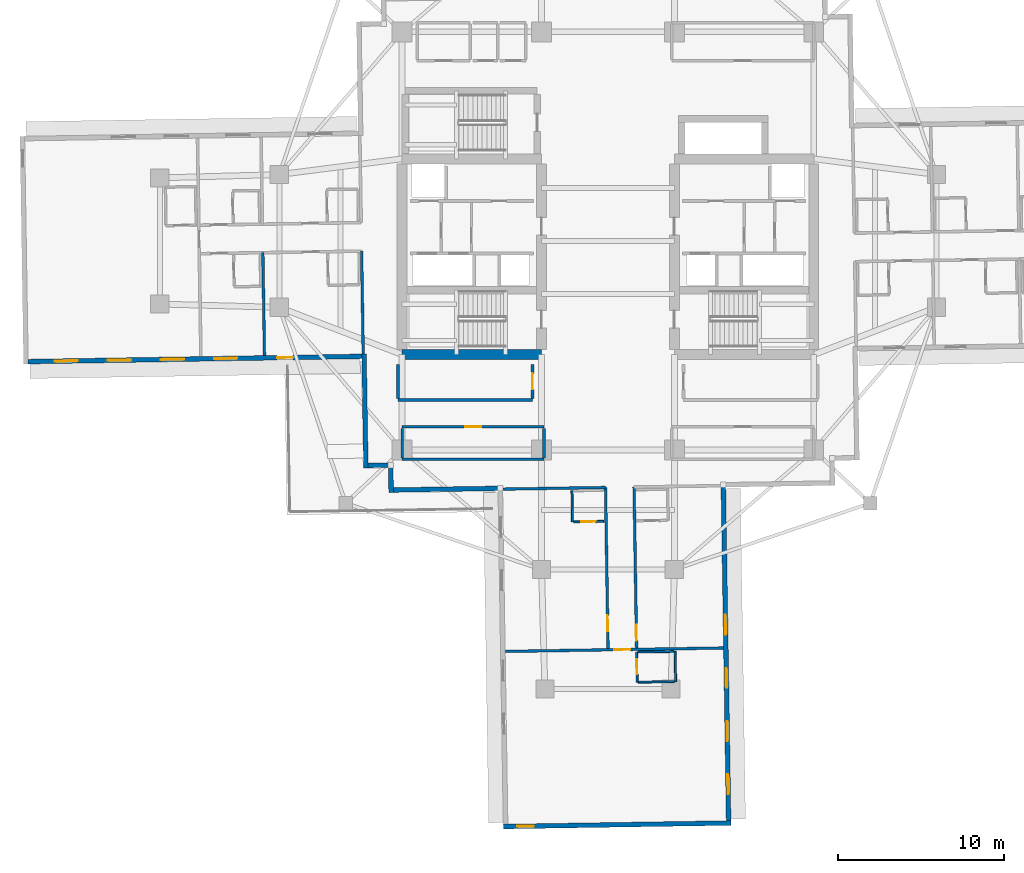
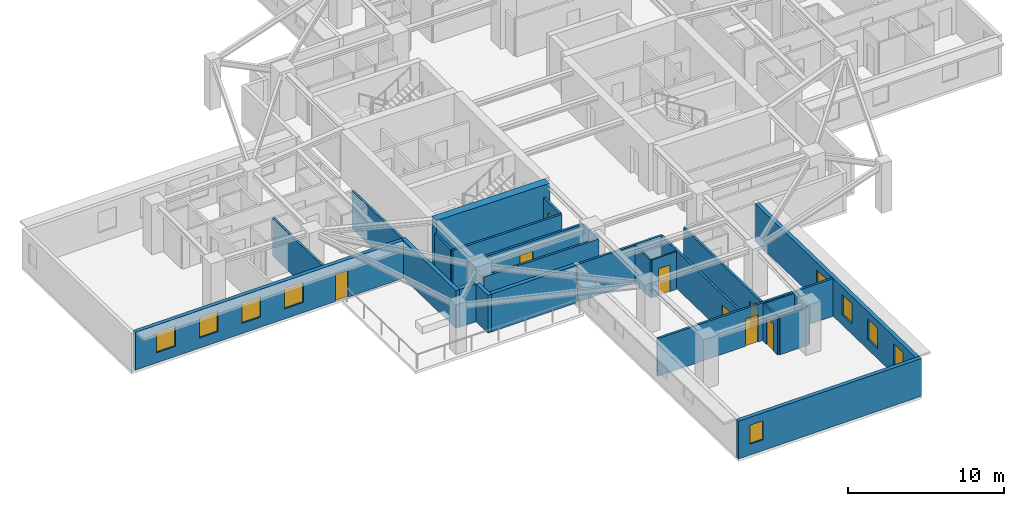
# One storey, part 3 of 14: 27 walls, 9 windows, 8 doors, 17 openings.
"""IFC4 building model written with IfcOpenShell, lengths in metres."""

from ifc_helpers import new_model, si_unit, direction, frame, frame_2d, origin, place, context, subcontext, project, spatial, rectangle, extrude, material, layer, layer_set, type_object, element, fill, save


model = new_model("IFC4")

# Units and contexts
model_context = context("Model", 3, precision=1e-05, world=origin(), true_north=direction((0.0, 1.0)))
body_context = subcontext(model_context, "Body", "Model", "MODEL_VIEW")
ifc_project = project(units=[si_unit("LENGTHUNIT", "METRE"), si_unit("AREAUNIT", "SQUARE_METRE"), si_unit("VOLUMEUNIT", "CUBIC_METRE"), si_unit("PLANEANGLEUNIT", "RADIAN"), si_unit("MASSUNIT", "GRAM", prefix="KILO")], contexts=[model_context])

# Site, building, storey
site_placement = place(None, origin())
site = spatial("IfcSite", under=ifc_project, at=site_placement, CompositionType="ELEMENT")
building_placement = place(site_placement, origin())
building = spatial("IfcBuilding", under=site, at=building_placement, Name="Qingluan Cross Belvedere", CompositionType="ELEMENT")
storey_placement = place(building_placement, frame((0.0, 0.0, 108.60009765625)))
storey = spatial("IfcBuildingStorey", under=building, at=storey_placement, Name="L27", CompositionType="ELEMENT", Elevation=108.60009765625)

# Walls
ifc_material_1 = material(Name="Concrete C60", Category="concrete")
ifc_layer_1 = layer(ifc_material_1, 0.60009765625, Name="CoreShearWall_600")
ifc_layer_set_1 = layer_set([ifc_layer_1], Name="Concrete C60")
wall_type_1 = type_object("IfcWallType", Name="CoreShearWall_600", PredefinedType="SHEAR", material=ifc_layer_set_1)
wall_1_placement = place(storey_placement, frame((-12.39990234375, -6.85009765625, 0.0), z_axis=(0.0, 0.0, 1.0), x_axis=(1.0, 0.0, 0.0)))
element("IfcWall", 1, at=wall_1_placement, inside=storey, type_object=wall_type_1, Name="Split core W shear wall L27-S", PredefinedType="SHEAR", context=body_context, shape_type="SweptSolid", body=[
    extrude(rectangle(XDim=8.39990234375, YDim=0.60009765625, at=frame_2d((4.199951171875, 0.0))), origin(), (0.0, 0.0, 1.0), 3.699951171875),
])
ifc_material_2 = material(Name="Gypsum plasterboard on steel stud acoustic partition", Category="steel")
ifc_layer_2 = layer(ifc_material_2, 0.159912109375, Name="CorridorPartition_160")
ifc_layer_set_2 = layer_set([ifc_layer_2], Name="Gypsum plasterboard on steel stud acoustic partition")
wall_type_2 = type_object("IfcWallType", Name="CorridorPartition_160", PredefinedType="PARTITIONING", material=ifc_layer_set_2)
wall_2_placement = place(storey_placement, frame((-12.39990234375, -13.14990234375, 0.0), z_axis=(0.0, 0.0, 1.0), x_axis=(1.0, 0.0, 0.0)))
element("IfcWall", 2, at=wall_2_placement, inside=storey, type_object=wall_type_2, Name="Partition L27:q_sw:S", PredefinedType="PARTITIONING", context=body_context, shape_type="SweptSolid", body=[
    extrude(rectangle(XDim=8.5498046875, YDim=0.159912109375, at=frame_2d((4.27490234375, 0.0))), origin(), (0.0, 0.0, 1.0), 2.9599609375),
])

# Wall, opening, door
wall_3_placement = place(storey_placement, frame((-12.39990234375, -11.199951171875, 0.0), z_axis=(0.0, 0.0, 1.0), x_axis=(1.0, 0.0, 0.0)))
wall_3 = element("IfcWall", 3, at=wall_3_placement, inside=storey, type_object=wall_type_2, Name="Partition L27:q_sw:N", PredefinedType="PARTITIONING", context=body_context, shape_type="SweptSolid", body=[
    extrude(rectangle(XDim=8.5498046875, YDim=0.159912109375, at=frame_2d((4.27490234375, 0.0))), origin(), (0.0, 0.0, 1.0), 2.9599609375),
])
opening_1_placement = place(wall_3_placement, frame((3.794921875, 0.0, 0.0)))
opening_1 = element("IfcOpeningElement", 4, at=opening_1_placement, cuts=wall_3, Name="Opening GD-10", PredefinedType="OPENING", context=body_context, shape_type="SweptSolid", body=[
    extrude(rectangle(XDim=0.9599609375, YDim=2.14990234375, at=frame_2d((0.47998046875, 1.074951171875))), frame((0.0, 0.08984375, 0.0), z_axis=(0.0, -1.0, 0.0), x_axis=(1.0, 0.0, 0.0)), (0.0, 0.0, 1.0), 0.179931640625),
])
ifc_material_3 = material(Name="Timber oak fire-rated acoustic guestroom door", Category="wood")
door_type_1 = type_object("IfcDoorType", Name="GuestEntryDoor_FD60", OperationType="NOTDEFINED", PredefinedType="DOOR", material=ifc_material_3)
door_1_placement = place(opening_1_placement, origin())
door_1 = element("IfcDoor", 5, at=door_1_placement, inside=storey, type_object=door_type_1, Name="Strategy meeting room L27 door", OperationType="SINGLE_SWING_RIGHT", OverallHeight=2.14990234375, OverallWidth=0.9599609375, PredefinedType="DOOR", context=body_context, shape_type="SweptSolid", body=[
    extrude(rectangle(XDim=0.9599609375, YDim=2.14990234375, at=frame_2d((0.47998046875, 1.074951171875))), frame((0.0, 0.02490234375, 0.0), z_axis=(0.0, -1.0, 0.0), x_axis=(1.0, 0.0, 0.0)), (0.0, 0.0, 1.0), 0.050048828125),
])
fill(opening_1, door_1)

# Walls
for number, where, z_axis, x_axis, name in (
    (6, (-12.39990234375, -13.06494140625, 0.0), (0.0, 0.0, 1.0), (0.0, 1.0, 0.0), "Partition L27:q_sw:W"),
    (7, (-3.85009765625, -13.06494140625, 0.0), (0.0, 0.0, 1.0), (0.0, 1.0, 0.0), "Partition L27:q_sw:E"),
):
    element("IfcWall", number, at=place(storey_placement, frame(where, z_axis=z_axis, x_axis=x_axis)), inside=storey, type_object=wall_type_2, Name=name, PredefinedType="PARTITIONING", context=body_context, shape_type="SweptSolid", body=[
        extrude(rectangle(XDim=1.780029296875, YDim=0.159912109375, at=frame_2d((0.89013671875, 0.0))), origin(), (0.0, 0.0, 1.0), 2.9599609375),
    ])
wall_4_placement = place(storey_placement, frame((-12.64990234375, -9.580078125, 0.0), z_axis=(0.0, 0.0, 1.0), x_axis=(1.0, 0.0, 0.0)))
element("IfcWall", 8, at=wall_4_placement, inside=storey, type_object=wall_type_2, Name="Partition L27:rec_st4_w:S", PredefinedType="PARTITIONING", context=body_context, shape_type="SweptSolid", body=[
    extrude(rectangle(XDim=8.099853515625, YDim=0.159912109375, at=frame_2d((4.0498046875, 0.0))), origin(), (0.0, 0.0, 1.0), 2.9599609375),
])
wall_5_placement = place(storey_placement, frame((-12.64990234375, -9.4951171875, 0.0), z_axis=(0.0, 0.0, 1.0), x_axis=(0.0, 1.0, 0.0)))
element("IfcWall", 9, at=wall_5_placement, inside=storey, type_object=wall_type_2, Name="Partition L27:rec_st4_w:W", PredefinedType="PARTITIONING", context=body_context, shape_type="SweptSolid", body=[
    extrude(rectangle(XDim=2.06005859375, YDim=0.159912109375, at=frame_2d((1.030029296875, 0.0))), origin(), (0.0, 0.0, 1.0), 2.9599609375),
])

# Wall, opening, door
wall_6_placement = place(storey_placement, frame((-4.550048828125, -9.4951171875, 0.0), z_axis=(0.0, 0.0, 1.0), x_axis=(0.0, 1.0, 0.0)))
wall_6 = element("IfcWall", 10, at=wall_6_placement, inside=storey, type_object=wall_type_2, Name="Partition L27:rec_st4_w:E", PredefinedType="PARTITIONING", context=body_context, shape_type="SweptSolid", body=[
    extrude(rectangle(XDim=2.06005859375, YDim=0.159912109375, at=frame_2d((1.030029296875, 0.0))), origin(), (0.0, 0.0, 1.0), 2.9599609375),
])
opening_2_placement = place(wall_6_placement, frame((0.550048828125, 0.0, 0.0)))
opening_2 = element("IfcOpeningElement", 11, at=opening_2_placement, cuts=wall_6, Name="Opening GD-10", PredefinedType="OPENING", context=body_context, shape_type="SweptSolid", body=[
    extrude(rectangle(XDim=0.9599609375, YDim=2.14990234375, at=frame_2d((0.47998046875, 1.074951171875))), frame((0.0, 0.08984375, 0.0), z_axis=(0.0, -1.0, 0.0), x_axis=(1.0, 0.0, 0.0)), (0.0, 0.0, 1.0), 0.179931640625),
])
door_2_placement = place(opening_2_placement, origin())
door_2 = element("IfcDoor", 12, at=door_2_placement, inside=storey, type_object=door_type_1, Name="Southwest club reading room L27 door", OperationType="SINGLE_SWING_LEFT", OverallHeight=2.14990234375, OverallWidth=0.9599609375, PredefinedType="DOOR", context=body_context, shape_type="SweptSolid", body=[
    extrude(rectangle(XDim=0.9599609375, YDim=2.14990234375, at=frame_2d((0.47998046875, 1.074951171875))), frame((0.0, 0.02490234375, 0.0), z_axis=(0.0, -1.0, 0.0), x_axis=(1.0, 0.0, 0.0)), (0.0, 0.0, 1.0), 0.050048828125),
])
fill(opening_2, door_2)

# Walls
for number, where, z_axis, x_axis, name in (
    (13, (-14.84228515625, -0.61328125, 0.0), (0.0, 0.0, 1.0), (0.015732111709, -0.999876242673, 0.0), "Partition L27:W:s1"),
    (14, (-20.79150390625, -0.706787109375, 0.0), (0.0, 0.0, 1.0), (0.015732111709, -0.999876242673, 0.0), "Partition L27:W:d1_0"),
):
    element("IfcWall", number, at=place(storey_placement, frame(where, z_axis=z_axis, x_axis=x_axis)), inside=storey, type_object=wall_type_2, Name=name, PredefinedType="PARTITIONING", context=body_context, shape_type="SweptSolid", body=[
        extrude(rectangle(XDim=6.19189453125, YDim=0.159912109375, at=frame_2d((3.095947265625, 0.0))), origin(), (0.0, 0.0, 1.0), 2.9599609375),
    ])

# Wall, opening, door
wall_7_placement = place(storey_placement, frame((1.572998046875, -14.8271484375, 0.0), z_axis=(0.0, 0.0, 1.0), x_axis=(0.015705659641, -0.999876658521, 0.0)))
wall_7 = element("IfcWall", 15, at=wall_7_placement, inside=storey, type_object=wall_type_2, Name="Partition L27:S:c0", PredefinedType="PARTITIONING", context=body_context, shape_type="SweptSolid", body=[
    extrude(rectangle(XDim=9.699951171875, YDim=0.159912109375, at=frame_2d((4.85009765625, 0.0))), origin(), (0.0, 0.0, 1.0), 2.9599609375),
])
opening_3_placement = place(wall_7_placement, frame((8.300048828125, 0.0, 0.0)))
opening_3 = element("IfcOpeningElement", 16, at=opening_3_placement, cuts=wall_7, Name="Opening GD-10", PredefinedType="OPENING", context=body_context, shape_type="SweptSolid", body=[
    extrude(rectangle(XDim=0.9599609375, YDim=2.14990234375, at=frame_2d((0.47998046875, 1.074951171875))), frame((0.0, 0.08984375, 0.0), z_axis=(0.0, -1.0, 0.0), x_axis=(1.0, 0.0, 0.0)), (0.0, 0.0, 1.0), 0.179931640625),
])
door_3_placement = place(opening_3_placement, origin())
door_3 = element("IfcDoor", 17, at=door_3_placement, inside=storey, type_object=door_type_1, Name="Guest entry fire door 2715", OperationType="SINGLE_SWING_RIGHT", OverallHeight=2.14990234375, OverallWidth=0.9599609375, PredefinedType="DOOR", context=body_context, shape_type="SweptSolid", body=[
    extrude(rectangle(XDim=0.9599609375, YDim=2.14990234375, at=frame_2d((0.47998046875, 1.074951171875))), frame((0.0, 0.02490234375, 0.0), z_axis=(0.0, -1.0, 0.0), x_axis=(1.0, 0.0, 0.0)), (0.0, 0.0, 1.0), 0.050048828125),
])
fill(opening_3, door_3)

wall_8_placement = place(storey_placement, frame((-0.146728515625, -14.85400390625, 0.0), z_axis=(0.0, 0.0, 1.0), x_axis=(0.015705264399, -0.999876664729, 0.0)))
wall_8 = element("IfcWall", 18, at=wall_8_placement, inside=storey, type_object=wall_type_2, Name="Partition L27:S:c1", PredefinedType="PARTITIONING", context=body_context, shape_type="SweptSolid", body=[
    extrude(rectangle(XDim=9.7001953125, YDim=0.159912109375, at=frame_2d((4.85009765625, 0.0))), origin(), (0.0, 0.0, 1.0), 2.9599609375),
])
opening_4_placement = place(wall_8_placement, frame((7.7041015625, 0.0, 0.0)))
opening_4 = element("IfcOpeningElement", 19, at=opening_4_placement, cuts=wall_8, Name="Opening GD-10", PredefinedType="OPENING", context=body_context, shape_type="SweptSolid", body=[
    extrude(rectangle(XDim=0.9599609375, YDim=2.14990234375, at=frame_2d((0.47998046875, 1.074951171875))), frame((0.0, 0.08984375, 0.0), z_axis=(0.0, -1.0, 0.0), x_axis=(1.0, 0.0, 0.0)), (0.0, 0.0, 1.0), 0.179931640625),
])
door_4_placement = place(opening_4_placement, origin())
door_4 = element("IfcDoor", 20, at=door_4_placement, inside=storey, type_object=door_type_1, Name="Guest entry fire door 2716", OperationType="SINGLE_SWING_RIGHT", OverallHeight=2.14990234375, OverallWidth=0.9599609375, PredefinedType="DOOR", context=body_context, shape_type="SweptSolid", body=[
    extrude(rectangle(XDim=0.9599609375, YDim=2.14990234375, at=frame_2d((0.47998046875, 1.074951171875))), frame((0.0, 0.02490234375, 0.0), z_axis=(0.0, -1.0, 0.0), x_axis=(1.0, 0.0, 0.0)), (0.0, 0.0, 1.0), 0.050048828125),
])
fill(opening_4, door_4)

# Wall
wall_9_placement = place(storey_placement, frame((-0.146728515625, -14.85400390625, 0.0), z_axis=(0.0, 0.0, 1.0), x_axis=(-0.999876566438, -0.015711520859, 0.0)))
element("IfcWall", 21, at=wall_9_placement, inside=storey, type_object=wall_type_2, Name="Partition L27:S:s1", PredefinedType="PARTITIONING", context=body_context, shape_type="SweptSolid", body=[
    extrude(rectangle(XDim=6.33984375, YDim=0.159912109375, at=frame_2d((3.169921875, 0.0))), origin(), (0.0, 0.0, 1.0), 2.9599609375),
])

# Wall, opening, door
wall_10_placement = place(storey_placement, frame((-6.184326171875, -24.730224609375, 0.0), z_axis=(0.0, 0.0, 1.0), x_axis=(0.999876528878, 0.015713911007, 0.0)))
wall_10 = element("IfcWall", 22, at=wall_10_placement, inside=storey, type_object=wall_type_2, Name="Partition L27:Scap:in", PredefinedType="PARTITIONING", context=body_context, shape_type="SweptSolid", body=[
    extrude(rectangle(XDim=13.14404296875, YDim=0.159912109375, at=frame_2d((6.572021484375, 0.0))), origin(), (0.0, 0.0, 1.0), 2.9599609375),
])
opening_5_placement = place(wall_10_placement, frame((6.572021484375, 0.0, 0.0)))
opening_5 = element("IfcOpeningElement", 23, at=opening_5_placement, cuts=wall_10, Name="Opening GD-10", PredefinedType="OPENING", context=body_context, shape_type="SweptSolid", body=[
    extrude(rectangle(XDim=0.9599609375, YDim=2.14990234375, at=frame_2d((0.47998046875, 1.074951171875))), frame((0.0, 0.08984375, 0.0), z_axis=(0.0, -1.0, 0.0), x_axis=(1.0, 0.0, 0.0)), (0.0, 0.0, 1.0), 0.179931640625),
])
door_5_placement = place(opening_5_placement, origin())
door_5 = element("IfcDoor", 24, at=door_5_placement, inside=storey, type_object=door_type_1, Name="Presidential suite entrance door L27S", OperationType="SINGLE_SWING_LEFT", OverallHeight=2.14990234375, OverallWidth=0.9599609375, PredefinedType="DOOR", context=body_context, shape_type="SweptSolid", body=[
    extrude(rectangle(XDim=0.9599609375, YDim=2.14990234375, at=frame_2d((0.47998046875, 1.074951171875))), frame((0.0, 0.02490234375, 0.0), z_axis=(0.0, -1.0, 0.0), x_axis=(1.0, 0.0, 0.0)), (0.0, 0.0, 1.0), 0.050048828125),
])
fill(opening_5, door_5)

ifc_material_4 = material(Name="Moisture-resistant gypsum board lining")
ifc_layer_3 = layer(ifc_material_4, 0.1201171875, Name="EnsuiteWetPartition_120")
ifc_layer_set_3 = layer_set([ifc_layer_3], Name="Moisture-resistant gypsum board lining")
wall_type_3 = type_object("IfcWallType", Name="EnsuiteWetPartition_120", PredefinedType="PARTITIONING", material=ifc_layer_set_3)
wall_11_placement = place(storey_placement, frame((-2.074462890625, -16.9248046875, 0.0), z_axis=(0.0, 0.0, 1.0), x_axis=(0.999874722342, 0.015828443418, 0.0)))
wall_11 = element("IfcWall", 25, at=wall_11_placement, inside=storey, type_object=wall_type_3, Name="Partition L27:S:bs1_0", PredefinedType="PARTITIONING", context=body_context, shape_type="SweptSolid", body=[
    extrude(rectangle(XDim=1.820068359375, YDim=0.1201171875, at=frame_2d((0.91015625, 0.0))), origin(), (0.0, 0.0, 1.0), 2.9599609375),
])
opening_6_placement = place(wall_11_placement, frame((0.469970703125, 0.0, 0.0)))
opening_6 = element("IfcOpeningElement", 26, at=opening_6_placement, cuts=wall_11, Name="Opening BD-09", PredefinedType="OPENING", context=body_context, shape_type="SweptSolid", body=[
    extrude(rectangle(XDim=0.8798828125, YDim=2.10009765625, at=frame_2d((0.43994140625, 1.050048828125))), frame((0.0, 0.070068359375, 0.0), z_axis=(0.0, -1.0, 0.0), x_axis=(1.0, 0.0, 0.0)), (0.0, 0.0, 1.0), 0.14013671875),
])
ifc_material_5 = material(Name="Moisture-sealed timber en-suite door", Category="wood")
door_type_2 = type_object("IfcDoorType", Name="BathroomDoor_880", OperationType="NOTDEFINED", PredefinedType="DOOR", material=ifc_material_5)
door_6_placement = place(opening_6_placement, origin())
door_6 = element("IfcDoor", 27, at=door_6_placement, inside=storey, type_object=door_type_2, Name="Bathroom door 2716", OperationType="SINGLE_SWING_LEFT", OverallHeight=2.10009765625, OverallWidth=0.8798828125, PredefinedType="DOOR", context=body_context, shape_type="SweptSolid", body=[
    extrude(rectangle(XDim=0.8798828125, YDim=2.10009765625, at=frame_2d((0.43994140625, 1.050048828125))), frame((0.0, 0.02490234375, 0.0), z_axis=(0.0, -1.0, 0.0), x_axis=(1.0, 0.0, 0.0)), (0.0, 0.0, 1.0), 0.050048828125),
])
fill(opening_6, door_6)

# Wall
wall_12_placement = place(storey_placement, frame((-2.1689453125, -15.0458984375, 0.0), z_axis=(0.0, 0.0, 1.0), x_axis=(0.01571234584, -0.999876553475, 0.0)))
element("IfcWall", 28, at=wall_12_placement, inside=storey, type_object=wall_type_3, Name="Partition L27:S:bc1_0", PredefinedType="PARTITIONING", context=body_context, shape_type="SweptSolid", body=[
    extrude(rectangle(XDim=1.880126953125, YDim=0.1201171875, at=frame_2d((0.93994140625, 0.0))), origin(), (0.0, 0.0, 1.0), 2.9599609375),
])

# Wall, opening, door
wall_13_placement = place(storey_placement, frame((1.729248046875, -24.765869140625, 0.0), z_axis=(0.0, 0.0, 1.0), x_axis=(0.015694337248, -0.999876836305, 0.0)))
wall_13 = element("IfcWall", 29, at=wall_13_placement, inside=storey, type_object=wall_type_3, Name="Partition L27:Scap:bs", PredefinedType="PARTITIONING", context=body_context, shape_type="SweptSolid", body=[
    extrude(rectangle(XDim=1.820068359375, YDim=0.1201171875, at=frame_2d((0.91015625, 0.0))), origin(), (0.0, 0.0, 1.0), 2.9599609375),
])
opening_7_placement = place(wall_13_placement, frame((0.449951171875, 0.0, 0.0)))
opening_7 = element("IfcOpeningElement", 30, at=opening_7_placement, cuts=wall_13, Name="Opening BD-09", PredefinedType="OPENING", context=body_context, shape_type="SweptSolid", body=[
    extrude(rectangle(XDim=0.8798828125, YDim=2.10009765625, at=frame_2d((0.43994140625, 1.050048828125))), frame((0.0, 0.070068359375, 0.0), z_axis=(0.0, -1.0, 0.0), x_axis=(1.0, 0.0, 0.0)), (0.0, 0.0, 1.0), 0.14013671875),
])
door_7_placement = place(opening_7_placement, origin())
door_7 = element("IfcDoor", 31, at=door_7_placement, inside=storey, type_object=door_type_2, Name="En-suite bathroom door L27S", OperationType="SINGLE_SWING_RIGHT", OverallHeight=2.10009765625, OverallWidth=0.8798828125, PredefinedType="DOOR", context=body_context, shape_type="SweptSolid", body=[
    extrude(rectangle(XDim=0.8798828125, YDim=2.10009765625, at=frame_2d((0.43994140625, 1.050048828125))), frame((0.0, 0.02490234375, 0.0), z_axis=(0.0, -1.0, 0.0), x_axis=(1.0, 0.0, 0.0)), (0.0, 0.0, 1.0), 0.050048828125),
])
fill(opening_7, door_7)

# Walls
wall_14_placement = place(storey_placement, frame((4.048828125, -24.7294921875, 0.0), z_axis=(0.0, 0.0, 1.0), x_axis=(0.015694337248, -0.999876836305, 0.0)))
element("IfcWall", 32, at=wall_14_placement, inside=storey, type_object=wall_type_3, Name="Partition L27:Scap:bb", PredefinedType="PARTITIONING", context=body_context, shape_type="SweptSolid", body=[
    extrude(rectangle(XDim=1.820068359375, YDim=0.1201171875, at=frame_2d((0.91015625, 0.0))), origin(), (0.0, 0.0, 1.0), 2.9599609375),
])
for number, where, z_axis, x_axis, name in (
    (33, (1.79931640625, -24.764892578125, 0.0), (0.0, 0.0, 1.0), (0.999877075733, 0.015679076008, 0.0), "Partition L27:Scap:ba"),
    (34, (1.827880859375, -26.584716796875, 0.0), (0.0, 0.0, 1.0), (0.99987531373, 0.015791041581, 0.0), "Partition L27:Scap:bn"),
):
    element("IfcWall", number, at=place(storey_placement, frame(where, z_axis=z_axis, x_axis=x_axis)), inside=storey, type_object=wall_type_3, Name=name, PredefinedType="PARTITIONING", context=body_context, shape_type="SweptSolid", body=[
        extrude(rectangle(XDim=2.179931640625, YDim=0.1201171875, at=frame_2d((1.08984375, 0.0))), origin(), (0.0, 0.0, 1.0), 2.9599609375),
    ])

# Wall, openings, windows, door
ifc_material_6 = material(Name="Precast concrete C45", Category="concrete")
ifc_layer_4 = layer(ifc_material_6, 0.280029296875, Name="PrecastFacadeWall_280")
ifc_layer_set_4 = layer_set([ifc_layer_4], Name="Precast concrete C45")
wall_type_4 = type_object("IfcWallType", Name="PrecastFacadeWall_280", PredefinedType="STANDARD", material=ifc_layer_set_4)
wall_15_placement = place(storey_placement, frame((-34.93017578125, -7.26953125, 0.0), z_axis=(0.0, 0.0, 1.0), x_axis=(0.999876667941, 0.015705059908, 0.0)))
wall_15 = element("IfcWall", 35, at=wall_15_placement, inside=storey, type_object=wall_type_4, Name="Facade wall L27-WB", PredefinedType="STANDARD", context=body_context, shape_type="SweptSolid", body=[
    extrude(rectangle(XDim=20.10009765625, YDim=0.280029296875, at=frame_2d((10.050048828125, 0.0))), origin(), (0.0, 0.0, 1.0), 2.969970703125),
])
opening_8_placement = place(wall_15_placement, frame((1.60009765625, 0.0, 0.800048828125)))
opening_8 = element("IfcOpeningElement", 36, at=opening_8_placement, cuts=wall_15, Name="Opening W-01", PredefinedType="OPENING", context=body_context, shape_type="SweptSolid", body=[
    extrude(rectangle(XDim=1.39990234375, YDim=1.60009765625, at=frame_2d((0.699951171875, 0.800048828125))), frame((0.0, 0.14990234375, 0.0), z_axis=(0.0, -1.0, 0.0), x_axis=(1.0, 0.0, 0.0)), (0.0, 0.0, 1.0), 0.300048828125),
])
opening_9_placement = place(wall_15_placement, frame((4.800048828125, 0.0, 0.800048828125)))
opening_9 = element("IfcOpeningElement", 37, at=opening_9_placement, cuts=wall_15, Name="Opening W-01", PredefinedType="OPENING", context=body_context, shape_type="SweptSolid", body=[
    extrude(rectangle(XDim=1.39990234375, YDim=1.60009765625, at=frame_2d((0.699951171875, 0.800048828125))), frame((0.0, 0.14990234375, 0.0), z_axis=(0.0, -1.0, 0.0), x_axis=(1.0, 0.0, 0.0)), (0.0, 0.0, 1.0), 0.300048828125),
])
opening_10_placement = place(wall_15_placement, frame((8.0, 0.0, 0.800048828125)))
opening_10 = element("IfcOpeningElement", 38, at=opening_10_placement, cuts=wall_15, Name="Opening W-01", PredefinedType="OPENING", context=body_context, shape_type="SweptSolid", body=[
    extrude(rectangle(XDim=1.39990234375, YDim=1.60009765625, at=frame_2d((0.699951171875, 0.800048828125))), frame((0.0, 0.14990234375, 0.0), z_axis=(0.0, -1.0, 0.0), x_axis=(1.0, 0.0, 0.0)), (0.0, 0.0, 1.0), 0.300048828125),
])
opening_11_placement = place(wall_15_placement, frame((11.199951171875, 0.0, 0.800048828125)))
opening_11 = element("IfcOpeningElement", 39, at=opening_11_placement, cuts=wall_15, Name="Opening W-01", PredefinedType="OPENING", context=body_context, shape_type="SweptSolid", body=[
    extrude(rectangle(XDim=1.39990234375, YDim=1.60009765625, at=frame_2d((0.699951171875, 0.800048828125))), frame((0.0, 0.14990234375, 0.0), z_axis=(0.0, -1.0, 0.0), x_axis=(1.0, 0.0, 0.0)), (0.0, 0.0, 1.0), 0.300048828125),
])
opening_12_placement = place(wall_15_placement, frame((15.0, 0.0, 0.0)))
opening_12 = element("IfcOpeningElement", 40, at=opening_12_placement, cuts=wall_15, Name="Opening WD-10", PredefinedType="OPENING", context=body_context, shape_type="SweptSolid", body=[
    extrude(rectangle(XDim=0.9599609375, YDim=2.10009765625, at=frame_2d((0.47998046875, 1.050048828125))), frame((0.0, 0.14990234375, 0.0), z_axis=(0.0, -1.0, 0.0), x_axis=(1.0, 0.0, 0.0)), (0.0, 0.0, 1.0), 0.300048828125),
])
ifc_material_7 = material(Name="Thermally broken triple Low-E glass in aluminium frame", Category="aluminium")
window_type_1 = type_object("IfcWindowType", Name="TriRibbonWin_1400x1600", PartitioningType="SINGLE_PANEL", PredefinedType="WINDOW", material=ifc_material_7)
window_1_placement = place(opening_8_placement, origin())
window_1 = element("IfcWindow", 41, at=window_1_placement, inside=storey, type_object=window_type_1, Name="Ribbon window L27-WB-1", OverallHeight=1.60009765625, OverallWidth=1.39990234375, PartitioningType="SINGLE_PANEL", PredefinedType="WINDOW", context=body_context, shape_type="SweptSolid", body=[
    extrude(rectangle(XDim=1.39990234375, YDim=1.60009765625, at=frame_2d((0.699951171875, 0.800048828125))), frame((0.0, 0.030029296875, 0.0), z_axis=(0.0, -1.0, 0.0), x_axis=(1.0, 0.0, 0.0)), (0.0, 0.0, 1.0), 0.06005859375),
])
fill(opening_8, window_1)
window_2_placement = place(opening_9_placement, origin())
window_2 = element("IfcWindow", 42, at=window_2_placement, inside=storey, type_object=window_type_1, Name="Ribbon window L27-WB-2", OverallHeight=1.60009765625, OverallWidth=1.39990234375, PartitioningType="SINGLE_PANEL", PredefinedType="WINDOW", context=body_context, shape_type="SweptSolid", body=[
    extrude(rectangle(XDim=1.39990234375, YDim=1.60009765625, at=frame_2d((0.699951171875, 0.800048828125))), frame((0.0, 0.030029296875, 0.0), z_axis=(0.0, -1.0, 0.0), x_axis=(1.0, 0.0, 0.0)), (0.0, 0.0, 1.0), 0.06005859375),
])
fill(opening_9, window_2)
window_3_placement = place(opening_10_placement, origin())
window_3 = element("IfcWindow", 43, at=window_3_placement, inside=storey, type_object=window_type_1, Name="Ribbon window L27-WB-3", OverallHeight=1.60009765625, OverallWidth=1.39990234375, PartitioningType="SINGLE_PANEL", PredefinedType="WINDOW", context=body_context, shape_type="SweptSolid", body=[
    extrude(rectangle(XDim=1.39990234375, YDim=1.60009765625, at=frame_2d((0.699951171875, 0.800048828125))), frame((0.0, 0.030029296875, 0.0), z_axis=(0.0, -1.0, 0.0), x_axis=(1.0, 0.0, 0.0)), (0.0, 0.0, 1.0), 0.06005859375),
])
fill(opening_10, window_3)
window_4_placement = place(opening_11_placement, origin())
window_4 = element("IfcWindow", 44, at=window_4_placement, inside=storey, type_object=window_type_1, Name="Ribbon window L27-WB-4", OverallHeight=1.60009765625, OverallWidth=1.39990234375, PartitioningType="SINGLE_PANEL", PredefinedType="WINDOW", context=body_context, shape_type="SweptSolid", body=[
    extrude(rectangle(XDim=1.39990234375, YDim=1.60009765625, at=frame_2d((0.699951171875, 0.800048828125))), frame((0.0, 0.030029296875, 0.0), z_axis=(0.0, -1.0, 0.0), x_axis=(1.0, 0.0, 0.0)), (0.0, 0.0, 1.0), 0.06005859375),
])
fill(opening_11, window_4)
ifc_material_8 = material(Name="Thermally broken aluminium and Low-E glass", Category="aluminium")
door_type_3 = type_object("IfcDoorType", Name="WinterGardenDoor_096", OperationType="NOTDEFINED", PredefinedType="DOOR", material=ifc_material_8)
door_8_placement = place(opening_12_placement, origin())
door_8 = element("IfcDoor", 45, at=door_8_placement, inside=storey, type_object=door_type_3, Name="Outdoor terrace access door L27-spi", OperationType="SINGLE_SWING_LEFT", OverallHeight=2.10009765625, OverallWidth=0.9599609375, PredefinedType="DOOR", context=body_context, shape_type="SweptSolid", body=[
    extrude(rectangle(XDim=0.9599609375, YDim=2.10009765625, at=frame_2d((0.47998046875, 1.050048828125))), frame((0.0, 0.02490234375, 0.0), z_axis=(0.0, -1.0, 0.0), x_axis=(1.0, 0.0, 0.0)), (0.0, 0.0, 1.0), 0.050048828125),
])
fill(opening_12, door_8)

# Wall, openings, windows
wall_16_placement = place(storey_placement, frame((7.26953125, -34.93017578125, 0.0), z_axis=(0.0, 0.0, 1.0), x_axis=(-0.015705059908, 0.999876667941, 0.0)))
wall_16 = element("IfcWall", 46, at=wall_16_placement, inside=storey, type_object=wall_type_4, Name="Facade wall L27-SB", PredefinedType="STANDARD", context=body_context, shape_type="SweptSolid", body=[
    extrude(rectangle(XDim=20.10009765625, YDim=0.280029296875, at=frame_2d((10.050048828125, 0.0))), origin(), (0.0, 0.0, 1.0), 2.969970703125),
])
opening_13_placement = place(wall_16_placement, frame((1.60009765625, 0.0, 0.800048828125)))
opening_13 = element("IfcOpeningElement", 47, at=opening_13_placement, cuts=wall_16, Name="Opening W-02", PredefinedType="OPENING", context=body_context, shape_type="SweptSolid", body=[
    extrude(rectangle(XDim=1.199951171875, YDim=1.60009765625, at=frame_2d((0.60009765625, 0.800048828125))), frame((0.0, 0.14990234375, 0.0), z_axis=(0.0, -1.0, 0.0), x_axis=(1.0, 0.0, 0.0)), (0.0, 0.0, 1.0), 0.300048828125),
])
opening_14_placement = place(wall_16_placement, frame((4.800048828125, 0.0, 0.800048828125)))
opening_14 = element("IfcOpeningElement", 48, at=opening_14_placement, cuts=wall_16, Name="Opening W-02", PredefinedType="OPENING", context=body_context, shape_type="SweptSolid", body=[
    extrude(rectangle(XDim=1.199951171875, YDim=1.60009765625, at=frame_2d((0.60009765625, 0.800048828125))), frame((0.0, 0.14990234375, 0.0), z_axis=(0.0, -1.0, 0.0), x_axis=(1.0, 0.0, 0.0)), (0.0, 0.0, 1.0), 0.300048828125),
])
opening_15_placement = place(wall_16_placement, frame((8.0, 0.0, 0.800048828125)))
opening_15 = element("IfcOpeningElement", 49, at=opening_15_placement, cuts=wall_16, Name="Opening W-02", PredefinedType="OPENING", context=body_context, shape_type="SweptSolid", body=[
    extrude(rectangle(XDim=1.199951171875, YDim=1.60009765625, at=frame_2d((0.60009765625, 0.800048828125))), frame((0.0, 0.14990234375, 0.0), z_axis=(0.0, -1.0, 0.0), x_axis=(1.0, 0.0, 0.0)), (0.0, 0.0, 1.0), 0.300048828125),
])
opening_16_placement = place(wall_16_placement, frame((11.199951171875, 0.0, 0.800048828125)))
opening_16 = element("IfcOpeningElement", 50, at=opening_16_placement, cuts=wall_16, Name="Opening W-02", PredefinedType="OPENING", context=body_context, shape_type="SweptSolid", body=[
    extrude(rectangle(XDim=1.199951171875, YDim=1.60009765625, at=frame_2d((0.60009765625, 0.800048828125))), frame((0.0, 0.14990234375, 0.0), z_axis=(0.0, -1.0, 0.0), x_axis=(1.0, 0.0, 0.0)), (0.0, 0.0, 1.0), 0.300048828125),
])
ifc_material_9 = material(Name="Thermally broken triple Low-E glass in aluminium frame", Category="aluminium")
window_type_2 = type_object("IfcWindowType", Name="TriRibbonWin_1200x1600", PartitioningType="SINGLE_PANEL", PredefinedType="WINDOW", material=ifc_material_9)
window_5_placement = place(opening_13_placement, origin())
window_5 = element("IfcWindow", 51, at=window_5_placement, inside=storey, type_object=window_type_2, Name="Ribbon window L27-SB-1", OverallHeight=1.60009765625, OverallWidth=1.199951171875, PartitioningType="SINGLE_PANEL", PredefinedType="WINDOW", context=body_context, shape_type="SweptSolid", body=[
    extrude(rectangle(XDim=1.199951171875, YDim=1.60009765625, at=frame_2d((0.60009765625, 0.800048828125))), frame((0.0, 0.030029296875, 0.0), z_axis=(0.0, -1.0, 0.0), x_axis=(1.0, 0.0, 0.0)), (0.0, 0.0, 1.0), 0.06005859375),
])
fill(opening_13, window_5)
window_6_placement = place(opening_14_placement, origin())
window_6 = element("IfcWindow", 52, at=window_6_placement, inside=storey, type_object=window_type_2, Name="Ribbon window L27-SB-2", OverallHeight=1.60009765625, OverallWidth=1.199951171875, PartitioningType="SINGLE_PANEL", PredefinedType="WINDOW", context=body_context, shape_type="SweptSolid", body=[
    extrude(rectangle(XDim=1.199951171875, YDim=1.60009765625, at=frame_2d((0.60009765625, 0.800048828125))), frame((0.0, 0.030029296875, 0.0), z_axis=(0.0, -1.0, 0.0), x_axis=(1.0, 0.0, 0.0)), (0.0, 0.0, 1.0), 0.06005859375),
])
fill(opening_14, window_6)
window_7_placement = place(opening_15_placement, origin())
window_7 = element("IfcWindow", 53, at=window_7_placement, inside=storey, type_object=window_type_2, Name="Ribbon window L27-SB-3", OverallHeight=1.60009765625, OverallWidth=1.199951171875, PartitioningType="SINGLE_PANEL", PredefinedType="WINDOW", context=body_context, shape_type="SweptSolid", body=[
    extrude(rectangle(XDim=1.199951171875, YDim=1.60009765625, at=frame_2d((0.60009765625, 0.800048828125))), frame((0.0, 0.030029296875, 0.0), z_axis=(0.0, -1.0, 0.0), x_axis=(1.0, 0.0, 0.0)), (0.0, 0.0, 1.0), 0.06005859375),
])
fill(opening_15, window_7)
window_8_placement = place(opening_16_placement, origin())
window_8 = element("IfcWindow", 54, at=window_8_placement, inside=storey, type_object=window_type_2, Name="Ribbon window L27-SB-4", OverallHeight=1.60009765625, OverallWidth=1.199951171875, PartitioningType="SINGLE_PANEL", PredefinedType="WINDOW", context=body_context, shape_type="SweptSolid", body=[
    extrude(rectangle(XDim=1.199951171875, YDim=1.60009765625, at=frame_2d((0.60009765625, 0.800048828125))), frame((0.0, 0.030029296875, 0.0), z_axis=(0.0, -1.0, 0.0), x_axis=(1.0, 0.0, 0.0)), (0.0, 0.0, 1.0), 0.06005859375),
])
fill(opening_16, window_8)

# Wall, opening, window
wall_17_placement = place(storey_placement, frame((-6.306640625, -35.283447265625, 0.0), z_axis=(0.0, 0.0, 1.0), x_axis=(0.999876549481, 0.015712599986, 0.0)))
wall_17 = element("IfcWall", 55, at=wall_17_placement, inside=storey, type_object=wall_type_4, Name="Arm tip precast facade wall L27-S", PredefinedType="STANDARD", context=body_context, shape_type="SweptSolid", body=[
    extrude(rectangle(XDim=13.719970703125, YDim=0.280029296875, at=frame_2d((6.85986328125, 0.0))), origin(), (0.0, 0.0, 1.0), 2.969970703125),
])
opening_17_placement = place(wall_17_placement, frame((0.85009765625, 0.0, 0.85009765625)))
opening_17 = element("IfcOpeningElement", 56, at=opening_17_placement, cuts=wall_17, Name="Opening W-03", PredefinedType="OPENING", context=body_context, shape_type="SweptSolid", body=[
    extrude(rectangle(XDim=1.0, YDim=1.5, at=frame_2d((0.5, 0.75))), frame((0.0, 0.14990234375, 0.0), z_axis=(0.0, -1.0, 0.0), x_axis=(1.0, 0.0, 0.0)), (0.0, 0.0, 1.0), 0.300048828125),
])
ifc_material_10 = material(Name="Thermally broken triple Low-E glass in aluminium frame", Category="aluminium")
window_type_3 = type_object("IfcWindowType", Name="TriApexWin_1000x1500", PartitioningType="SINGLE_PANEL", PredefinedType="WINDOW", material=ifc_material_10)
window_9_placement = place(opening_17_placement, origin())
window_9 = element("IfcWindow", 57, at=window_9_placement, inside=storey, type_object=window_type_3, Name="Arm tip triangular window L27-S", OverallHeight=1.5, OverallWidth=1.0, PartitioningType="SINGLE_PANEL", PredefinedType="WINDOW", context=body_context, shape_type="SweptSolid", body=[
    extrude(rectangle(XDim=1.0, YDim=1.5, at=frame_2d((0.5, 0.75))), frame((0.0, 0.030029296875, 0.0), z_axis=(0.0, -1.0, 0.0), x_axis=(1.0, 0.0, 0.0)), (0.0, 0.0, 1.0), 0.06005859375),
])
fill(opening_17, window_9)

# Walls
wall_18_placement = place(storey_placement, frame((-14.69482421875, -6.811767578125, 0.0), z_axis=(0.0, 0.0, 1.0), x_axis=(0.015694809807, -0.999876828887, 0.0)))
element("IfcWall", 58, at=wall_18_placement, inside=storey, type_object=wall_type_4, Name="Corner wall L27-SW1", PredefinedType="STANDARD", context=body_context, shape_type="SweptSolid", body=[
    extrude(rectangle(XDim=6.85986328125, YDim=0.280029296875, at=frame_2d((3.429931640625, 0.0))), origin(), (0.0, 0.0, 1.0), 2.969970703125),
])
wall_19_placement = place(storey_placement, frame((-14.44921875, -13.528564453125, 0.0), z_axis=(0.0, 0.0, 1.0), x_axis=(0.999878147354, 0.015610587569, 0.0)))
element("IfcWall", 59, at=wall_19_placement, inside=storey, type_object=wall_type_4, Name="Corner wall L27-SW2", PredefinedType="STANDARD", context=body_context, shape_type="SweptSolid", body=[
    extrude(rectangle(XDim=1.219970703125, YDim=0.280029296875, at=frame_2d((0.60986328125, 0.0))), origin(), (0.0, 0.0, 1.0), 2.969970703125),
])
wall_20_placement = place(storey_placement, frame((-13.08740234375, -13.647216796875, 0.0), z_axis=(0.0, 0.0, 1.0), x_axis=(0.015785793208, -0.999875396603, 0.0)))
element("IfcWall", 60, at=wall_20_placement, inside=storey, type_object=wall_type_4, Name="Corner wall L27-SW3", PredefinedType="STANDARD", context=body_context, shape_type="SweptSolid", body=[
    extrude(rectangle(XDim=1.500244140625, YDim=0.280029296875, at=frame_2d((0.75, 0.0))), origin(), (0.0, 0.0, 1.0), 2.969970703125),
])
wall_21_placement = place(storey_placement, frame((-12.92578125, -15.0048828125, 0.0), z_axis=(0.0, 0.0, 1.0), x_axis=(0.999876823822, 0.015695132501, 0.0)))
element("IfcWall", 61, at=wall_21_placement, inside=storey, type_object=wall_type_4, Name="Corner wall L27-SW4", PredefinedType="STANDARD", context=body_context, shape_type="SweptSolid", body=[
    extrude(rectangle(XDim=6.2998046875, YDim=0.280029296875, at=frame_2d((3.14990234375, 0.0))), origin(), (0.0, 0.0, 1.0), 2.969970703125),
])

save(model, "model.ifc")
